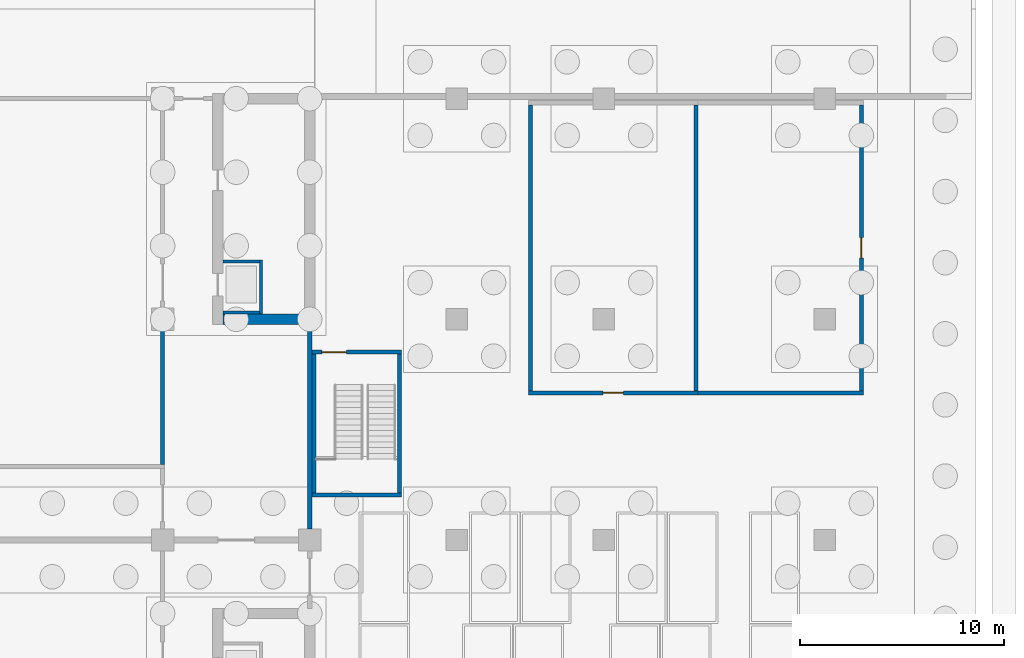
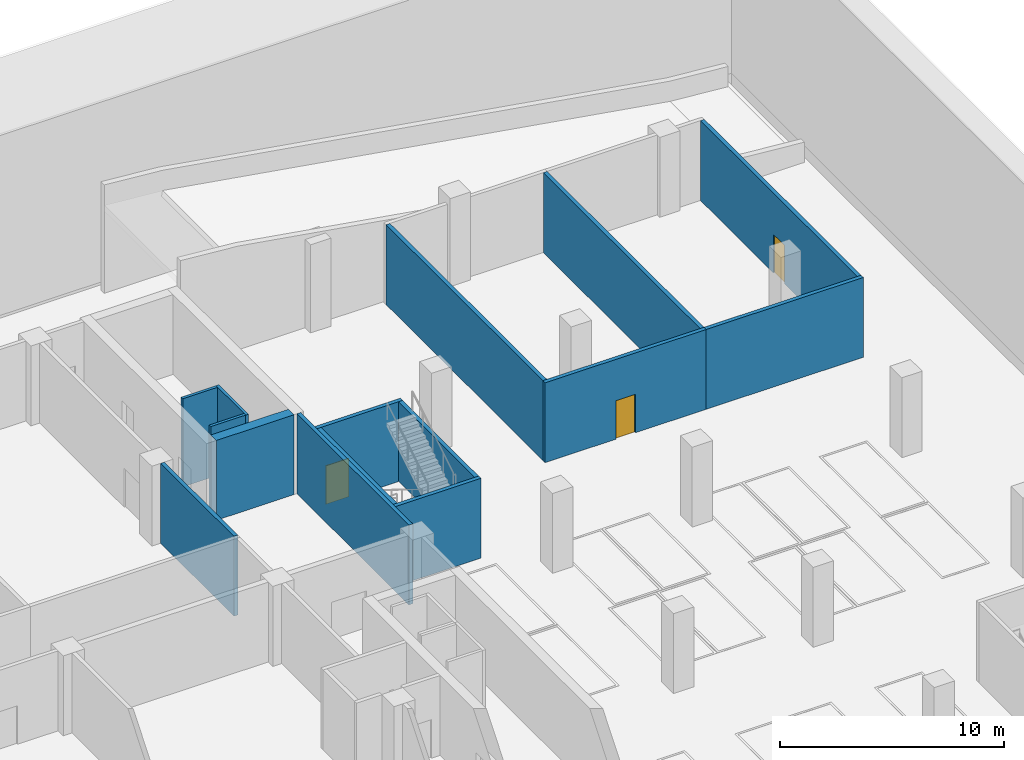
# One storey, part 10 of 18: 15 walls, 3 doors, 3 openings.
"""IFC4 building model written with IfcOpenShell, lengths in metres."""

import ifcopenshell
import ifcopenshell.guid

model = None  # the IFC model being written
_history = None  # IfcOwnerHistory: only IFC2X3 demands one
_inside = {}  # id of a spatial element -> (the spatial element, [elements in it])
_under = {}  # id of a project, library or spatial element -> (it, [spatial elements below it])
_declared = {}  # id of a project -> (the project, [libraries it declares])
_typed = {}  # id of a type object -> (the type object, [elements of that type])
_made_of = {}  # id of a material, layer set ... -> (it, [elements and type objects made of it])


def new_model(schema):
    """Start an empty IFC model of exactly this schema.

    Asked for "IFC4X3", IfcOpenShell would pick the latest addendum, in which some entities
    have other attributes; the version numbers below select the first issue.
    IFC2X3 requires an IfcOwnerHistory on every rooted entity: one is made here for all.
    """
    global model, _history
    if schema == "IFC4X3":
        model = ifcopenshell.file(schema_version=(4, 3, 0, 0))
    else:
        model = ifcopenshell.file(schema=schema)
    _inside.clear()
    _under.clear()
    _declared.clear()
    _typed.clear()
    _made_of.clear()
    _history = None
    if model.schema == "IFC2X3":
        org = make("IfcOrganization", Name="unknown")
        user = make(
            "IfcPersonAndOrganization",
            ThePerson=make("IfcPerson", FamilyName="unknown"),
            TheOrganization=org,
        )
        app = make(
            "IfcApplication",
            ApplicationDeveloper=org,
            Version="unknown",
            ApplicationFullName="unknown",
            ApplicationIdentifier="unknown",
        )
        _history = make(
            "IfcOwnerHistory",
            OwningUser=user,
            OwningApplication=app,
            ChangeAction="ADDED",
            CreationDate=0,
        )
    return model


def make(cls, **values):
    """One entity of the class cls with the attributes given. An attribute that is None is left unset."""
    return model.create_entity(
        cls, **{name: value for name, value in values.items() if value is not None}
    )


def rooted(cls, **values):
    """An entity with a GlobalId (a new one), such as an element, a storey or a relation."""
    return make(cls, GlobalId=ifcopenshell.guid.new(), OwnerHistory=_history, **values)


def si_unit(unit_type, name, prefix=None):
    """IfcSIUnit, for example si_unit("LENGTHUNIT", "METRE", prefix="MILLI")."""
    return make("IfcSIUnit", UnitType=unit_type, Prefix=prefix, Name=name)


def assignment(units):
    """IfcUnitAssignment: the units of a project."""
    return None if units is None else make("IfcUnitAssignment", Units=units)


def point(xyz):
    """IfcCartesianPoint."""
    return None if xyz is None else make("IfcCartesianPoint", Coordinates=xyz)


def direction(xyz):
    """IfcDirection."""
    return None if xyz is None else make("IfcDirection", DirectionRatios=xyz)


def frame(location, z_axis=None, x_axis=None):
    """IfcAxis2Placement3D, a coordinate frame: its origin and axes. An axis left out is left unset."""
    return make(
        "IfcAxis2Placement3D",
        Location=point(location),
        Axis=direction(z_axis),
        RefDirection=direction(x_axis),
    )


def frame_2d(location, x_axis=None):
    """IfcAxis2Placement2D, a coordinate frame in the plane: its origin and x axis."""
    return make(
        "IfcAxis2Placement2D", Location=point(location), RefDirection=direction(x_axis)
    )


def origin():
    """The frame at (0, 0, 0) with its axes left unset."""
    return frame((0.0, 0.0, 0.0))


def place(relative_to, where):
    """IfcLocalPlacement: puts the frame where relative to a parent placement (None: the world)."""
    return make(
        "IfcLocalPlacement", PlacementRelTo=relative_to, RelativePlacement=where
    )


def context(
    kind, dimensions, precision=None, world=None, true_north=None, identifier=None
):
    """IfcGeometricRepresentationContext, for example the 3D "Model" context."""
    return make(
        "IfcGeometricRepresentationContext",
        ContextIdentifier=identifier,
        ContextType=kind,
        CoordinateSpaceDimension=dimensions,
        Precision=precision,
        WorldCoordinateSystem=world,
        TrueNorth=true_north,
    )


def subcontext(parent, identifier, kind, view, scale=None):
    """IfcGeometricRepresentationSubContext, for example "Body" below "Model"."""
    return make(
        "IfcGeometricRepresentationSubContext",
        ContextIdentifier=identifier,
        ContextType=kind,
        ParentContext=parent,
        TargetScale=scale,
        TargetView=view,
    )


def project(units=None, contexts=None):
    """IfcProject with its units and contexts."""
    return rooted(
        "IfcProject",
        Name="project",
        RepresentationContexts=contexts,
        UnitsInContext=assignment(units),
    )


def spatial(cls, under=None, at=None, **own):
    """A site, building, storey or space (cls), placed at a placement, below another one or the project."""
    s = rooted(cls, ObjectPlacement=at, **own)
    if under is not None:
        _under.setdefault(under.id(), (under, []))[1].append(s)
    return s


def profile(cls, at=None, kind="AREA", **sizes):
    """A parametric profile (cls). Its sizes go by their IFC names, for example OverallWidth=200.0."""
    return make(cls, ProfileType=kind, Position=at, **sizes)


def rectangle(**sizes):
    """IfcRectangleProfileDef."""
    return profile("IfcRectangleProfileDef", **sizes)


def extrude(swept, where, along, depth):
    """IfcExtrudedAreaSolid: the profile swept, set in the frame where, extruded along a direction by depth."""
    return make(
        "IfcExtrudedAreaSolid",
        SweptArea=swept,
        Position=where,
        ExtrudedDirection=direction(along),
        Depth=depth,
    )


def shape(context_of_items, identifier, shape_type, items):
    """IfcShapeRepresentation: the items that make up one representation, for example the "Body"."""
    return make(
        "IfcShapeRepresentation",
        ContextOfItems=context_of_items,
        RepresentationIdentifier=identifier,
        RepresentationType=shape_type,
        Items=items,
    )


def material(Name=None, Category=None):
    """IfcMaterial."""
    return make("IfcMaterial", Name=Name, Category=Category)


def layer(
    of_material, thickness, ventilated=None, Name=None, Category=None, Priority=None
):
    """IfcMaterialLayer: one layer of a wall or slab, of a material (None: an air gap)."""
    return make(
        "IfcMaterialLayer",
        Material=of_material,
        LayerThickness=thickness,
        IsVentilated=ventilated,
        Name=Name,
        Category=Category,
        Priority=Priority,
    )


def layer_set(layers, Name=None):
    """IfcMaterialLayerSet."""
    return make("IfcMaterialLayerSet", MaterialLayers=layers, LayerSetName=Name)


def made_of(thing, what):
    """Note that an element or type object is made of a material, layer set ...; save() writes the relation."""
    if what is not None:
        _made_of.setdefault(what.id(), (what, []))[1].append(thing)
    return thing


def type_object(cls, material=None, **own):
    """A type object (cls), such as IfcWallType, which elements share."""
    return made_of(rooted(cls, **own), material)


def element(
    cls,
    number,
    at=None,
    inside=None,
    cuts=None,
    type_object=None,
    material=None,
    context=None,
    identifier="Body",
    shape_type=None,
    held_by="IfcProductDefinitionShape",
    body=None,
    shapes=None,
    **own,
):
    """One element of the class cls, such as IfcWall. Its Tag is "e" and its number.

    at: its placement. inside: the storey or other place that contains it. cuts: it is an
    opening in that element (IfcRelVoidsElement). A single representation is given by context,
    identifier, shape_type and body (its items); several are given by shapes. held_by: the class
    of the entity that holds the representations. save() writes the other relations.
    """
    e = rooted(cls, Tag="e%d" % number, ObjectPlacement=at, **own)
    if body is not None:
        shapes = [shape(context, identifier, shape_type, body)]
    if shapes is not None:
        e.Representation = make(held_by, Representations=shapes)
    if inside is not None:
        _inside.setdefault(inside.id(), (inside, []))[1].append(e)
    if cuts is not None:
        rooted(
            "IfcRelVoidsElement", RelatingBuildingElement=cuts, RelatedOpeningElement=e
        )
    if type_object is not None:
        _typed.setdefault(type_object.id(), (type_object, []))[1].append(e)
    return made_of(e, material)


def fill(opening, filler):
    """IfcRelFillsElement: the door or window that sits in an opening."""
    return rooted(
        "IfcRelFillsElement",
        RelatingOpeningElement=opening,
        RelatedBuildingElement=filler,
    )


def aggregate(whole, parts):
    """IfcRelAggregates: a whole, such as a stair, and the parts it consists of."""
    return rooted("IfcRelAggregates", RelatingObject=whole, RelatedObjects=parts)


def save(model, path):
    """Write the relations noted so far, then the file.

    IfcRelAggregates (storeys below a building ...), IfcRelContainedInSpatialStructure (elements
    in a storey), IfcRelDefinesByType, IfcRelAssociatesMaterial and IfcRelDeclares: one each for
    every whole, place, type object, material and project.
    """
    for whole, parts in _under.values():
        aggregate(whole, parts)
    for where, things in _inside.values():
        rooted(
            "IfcRelContainedInSpatialStructure",
            RelatedElements=things,
            RelatingStructure=where,
        )
    for kind, things in _typed.values():
        rooted("IfcRelDefinesByType", RelatedObjects=things, RelatingType=kind)
    for what, things in _made_of.values():
        rooted("IfcRelAssociatesMaterial", RelatedObjects=things, RelatingMaterial=what)
    for by, libraries in _declared.values():
        rooted("IfcRelDeclares", RelatingContext=by, RelatedDefinitions=libraries)
    model.write(path)


model = new_model("IFC4")

# Units and contexts
model_context = context("Model", 3, precision=1e-05, world=origin(), true_north=direction((0.0, 1.0)))
body_context = subcontext(model_context, "Body", "Model", "MODEL_VIEW")
ifc_project = project(units=[si_unit("LENGTHUNIT", "METRE"), si_unit("AREAUNIT", "SQUARE_METRE"), si_unit("VOLUMEUNIT", "CUBIC_METRE"), si_unit("PLANEANGLEUNIT", "RADIAN"), si_unit("MASSUNIT", "GRAM", prefix="KILO")], contexts=[model_context])

# Site, building, storey
site_placement = place(None, origin())
site = spatial("IfcSite", under=ifc_project, at=site_placement, CompositionType="ELEMENT")
building_placement = place(site_placement, origin())
building = spatial("IfcBuilding", under=site, at=building_placement, Name="Basin Gate Institute", CompositionType="ELEMENT")
storey_placement = place(building_placement, frame((0.0, 0.0, -9.60009765625)))
storey = spatial("IfcBuildingStorey", under=building, at=storey_placement, Name="B2", CompositionType="ELEMENT", Elevation=-9.60009765625)

# Wall
ifc_material_1 = material(Name="Concrete 50 MPa", Category="concrete")
ifc_layer_1 = layer(ifc_material_1, 0.199951171875)
ifc_layer_set_1 = layer_set([ifc_layer_1], Name="Concrete 50 MPa")
wall_type_1 = type_object("IfcWallType", Name="Basement bearing wall W66 REI 180", PredefinedType="SOLIDWALL", material=ifc_layer_set_1)
wall_1_placement = place(storey_placement, frame((118.800048828125, 78.85009765625, 0.0), z_axis=(0.0, 0.0, 1.0), x_axis=(0.0, 1.0, 0.0)))
element("IfcWall", 1, at=wall_1_placement, inside=storey, type_object=wall_type_1, material=ifc_layer_set_1, Name="Service Corridor B2 East bearing wall", PredefinedType="SOLIDWALL", context=body_context, shape_type="SweptSolid", body=[
    extrude(rectangle(XDim=10.0, YDim=0.199951171875, at=frame_2d((5.0, 0.0))), origin(), (0.0, 0.0, 1.0), 4.35009765625),
])

# Wall, opening, door
ifc_material_2 = material(Name="Blockwork", Category="masonry")
ifc_layer_2 = layer(ifc_material_2, 0.199951171875)
ifc_layer_set_2 = layer_set([ifc_layer_2], Name="Basement fire partition EI 120")
wall_type_2 = type_object("IfcWallType", Name="Basement fire partition EI 120", PredefinedType="PARTITIONING", material=ifc_layer_set_2)
wall_2_placement = place(storey_placement, frame((129.5, 85.5, 0.0), z_axis=(0.0, 0.0, 1.0), x_axis=(1.0, 0.0, 0.0)))
wall_2 = element("IfcWall", 2, at=wall_2_placement, inside=storey, type_object=wall_type_2, material=ifc_layer_set_2, Name="Substation fire-resisting wall", PredefinedType="PARTITIONING", context=body_context, shape_type="SweptSolid", body=[
    extrude(rectangle(XDim=8.300048828125, YDim=0.199951171875, at=frame_2d((4.14990234375, 0.0))), origin(), (0.0, 0.0, 1.0), 4.35009765625),
])
opening_1_placement = place(wall_2_placement, frame((3.64990234375, 0.0, 0.0)))
opening_1 = element("IfcOpeningElement", 3, at=opening_1_placement, cuts=wall_2, Name="Opening DB212", PredefinedType="OPENING", context=body_context, shape_type="SweptSolid", body=[
    extrude(rectangle(XDim=1.0, YDim=2.10009765625, at=frame_2d((0.5, 1.050048828125))), frame((0.0, 0.10986328125, 0.0), z_axis=(0.0, -1.0, 0.0), x_axis=(1.0, 0.0, 0.0)), (0.0, 0.0, 1.0), 0.219970703125),
])
ifc_material_3 = material(Name="Steel door set", Category="steel")
door_type_1 = type_object("IfcDoorType", Name="Fire door FD120 1000x2100", OperationType="NOTDEFINED", PredefinedType="DOOR", material=ifc_material_3)
door_1_placement = place(opening_1_placement, origin())
door_1 = element("IfcDoor", 4, at=door_1_placement, inside=storey, type_object=door_type_1, material=ifc_material_3, Name="Door DB212 Substation", OperationType="SINGLE_SWING_LEFT", OverallHeight=2.10009765625, OverallWidth=1.0, PredefinedType="DOOR", context=body_context, shape_type="SweptSolid", body=[
    extrude(rectangle(XDim=1.0, YDim=2.10009765625, at=frame_2d((0.5, 1.050048828125))), frame((0.0, 0.02490234375, 0.0), z_axis=(0.0, -1.0, 0.0), x_axis=(1.0, 0.0, 0.0)), (0.0, 0.0, 1.0), 0.050048828125),
])
fill(opening_1, door_1)

# Walls
wall_3_placement = place(storey_placement, frame((137.800048828125, 85.5, 0.0), z_axis=(0.0, 0.0, 1.0), x_axis=(1.0, 0.0, 0.0)))
element("IfcWall", 5, at=wall_3_placement, inside=storey, type_object=wall_type_2, material=ifc_layer_set_2, Name="Generator Room fire-resisting wall", PredefinedType="PARTITIONING", context=body_context, shape_type="SweptSolid", body=[
    extrude(rectangle(XDim=8.099853515625, YDim=0.199951171875, at=frame_2d((4.0498046875, 0.0))), origin(), (0.0, 0.0, 1.0), 4.35009765625),
])
wall_4_placement = place(storey_placement, frame((111.60009765625, 82.0, 0.0), z_axis=(0.0, 0.0, 1.0), x_axis=(0.0, 1.0, 0.0)))
element("IfcWall", 6, at=wall_4_placement, inside=storey, type_object=wall_type_2, material=ifc_layer_set_2, Name="Archive B2 fire-resisting wall", PredefinedType="PARTITIONING", context=body_context, shape_type="SweptSolid", body=[
    extrude(rectangle(XDim=6.550048828125, YDim=0.199951171875, at=frame_2d((3.27490234375, 0.0))), origin(), (0.0, 0.0, 1.0), 4.35009765625),
])
for number, where, z_axis, x_axis, name in (
    (7, (129.60009765625, 85.60009765625, 0.0), (0.0, 0.0, 1.0), (0.0, 1.0, 0.0), "Substation fire-resisting wall"),
    (8, (137.699951171875, 85.60009765625, 0.0), (0.0, 0.0, 1.0), (0.0, 1.0, 0.0), "Generator Room fire-resisting wall"),
):
    element("IfcWall", number, at=place(storey_placement, frame(where, z_axis=z_axis, x_axis=x_axis)), inside=storey, type_object=wall_type_2, material=ifc_layer_set_2, Name=name, PredefinedType="PARTITIONING", context=body_context, shape_type="SweptSolid", body=[
        extrude(rectangle(XDim=14.0, YDim=0.199951171875, at=frame_2d((7.0, 0.0))), origin(), (0.0, 0.0, 1.0), 4.35009765625),
    ])

# Wall, opening, door
wall_5_placement = place(storey_placement, frame((145.800048828125, 85.60009765625, 0.0), z_axis=(0.0, 0.0, 1.0), x_axis=(0.0, 1.0, 0.0)))
wall_5 = element("IfcWall", 9, at=wall_5_placement, inside=storey, type_object=wall_type_2, material=ifc_layer_set_2, Name="Generator Room fire-resisting wall", PredefinedType="PARTITIONING", context=body_context, shape_type="SweptSolid", body=[
    extrude(rectangle(XDim=14.0, YDim=0.199951171875, at=frame_2d((7.0, 0.0))), origin(), (0.0, 0.0, 1.0), 4.35009765625),
])
opening_2_placement = place(wall_5_placement, frame((6.5, 0.0, 0.0)))
opening_2 = element("IfcOpeningElement", 10, at=opening_2_placement, cuts=wall_5, Name="Opening DB213", PredefinedType="OPENING", context=body_context, shape_type="SweptSolid", body=[
    extrude(rectangle(XDim=1.0, YDim=2.10009765625, at=frame_2d((0.5, 1.050048828125))), frame((0.0, 0.10986328125, 0.0), z_axis=(0.0, -1.0, 0.0), x_axis=(1.0, 0.0, 0.0)), (0.0, 0.0, 1.0), 0.219970703125),
])
door_2_placement = place(opening_2_placement, frame((1.0, 0.0, 0.0), z_axis=(0.0, 0.0, 1.0), x_axis=(-1.0, 0.0, 0.0)))
door_2 = element("IfcDoor", 11, at=door_2_placement, inside=storey, type_object=door_type_1, material=ifc_material_3, Name="Door DB213 Generator Room", OperationType="SINGLE_SWING_RIGHT", OverallHeight=2.10009765625, OverallWidth=1.0, PredefinedType="DOOR", context=body_context, shape_type="SweptSolid", body=[
    extrude(rectangle(XDim=1.0, YDim=2.10009765625, at=frame_2d((0.5, 1.050048828125))), frame((0.0, 0.02490234375, 0.0), z_axis=(0.0, -1.0, 0.0), x_axis=(1.0, 0.0, 0.0)), (0.0, 0.0, 1.0), 0.050048828125),
])
fill(opening_2, door_2)

# Wall
ifc_material_4 = material(Name="Concrete 35 MPa", Category="concrete")
ifc_layer_3 = layer(ifc_material_4, 0.199951171875)
ifc_layer_set_3 = layer_set([ifc_layer_3], Name="Concrete 35 MPa")
wall_type_3 = type_object("IfcWallType", Name="Basement stair enclosure wall W67 REI 120", PredefinedType="SOLIDWALL", material=ifc_layer_set_3)
wall_6_placement = place(storey_placement, frame((118.89990234375, 80.5, 0.0), z_axis=(0.0, 0.0, 1.0), x_axis=(1.0, 0.0, 0.0)))
element("IfcWall", 12, at=wall_6_placement, inside=storey, type_object=wall_type_3, material=ifc_layer_set_3, Name="Stair Enclosure BS4 B2 enclosure wall", PredefinedType="SOLIDWALL", context=body_context, shape_type="SweptSolid", body=[
    extrude(rectangle(XDim=4.400146484375, YDim=0.199951171875, at=frame_2d((2.2001953125, 0.0))), origin(), (0.0, 0.0, 1.0), 4.35009765625),
])

# Wall, opening, door
wall_7_placement = place(storey_placement, frame((118.89990234375, 87.5, 0.0), z_axis=(0.0, 0.0, 1.0), x_axis=(1.0, 0.0, 0.0)))
wall_7 = element("IfcWall", 13, at=wall_7_placement, inside=storey, type_object=wall_type_3, material=ifc_layer_set_3, Name="Stair Enclosure BS4 B2 enclosure wall", PredefinedType="SOLIDWALL", context=body_context, shape_type="SweptSolid", body=[
    extrude(rectangle(XDim=4.400146484375, YDim=0.199951171875, at=frame_2d((2.2001953125, 0.0))), origin(), (0.0, 0.0, 1.0), 4.35009765625),
])
opening_3_placement = place(wall_7_placement, frame((0.5, 0.0, 0.0)))
opening_3 = element("IfcOpeningElement", 14, at=opening_3_placement, cuts=wall_7, Name="Opening DB245", PredefinedType="OPENING", context=body_context, shape_type="SweptSolid", body=[
    extrude(rectangle(XDim=1.199951171875, YDim=2.10009765625, at=frame_2d((0.60009765625, 1.050048828125))), frame((0.0, 0.10986328125, 0.0), z_axis=(0.0, -1.0, 0.0), x_axis=(1.0, 0.0, 0.0)), (0.0, 0.0, 1.0), 0.219970703125),
])
ifc_material_5 = material(Name="Steel door set", Category="steel")
door_type_2 = type_object("IfcDoorType", Name="Stair door FD120 1200x2100", OperationType="NOTDEFINED", PredefinedType="DOOR", material=ifc_material_5)
door_3_placement = place(opening_3_placement, frame((1.199951171875, 0.0, 0.0), z_axis=(0.0, 0.0, 1.0), x_axis=(-1.0, 0.0, 0.0)))
door_3 = element("IfcDoor", 15, at=door_3_placement, inside=storey, type_object=door_type_2, material=ifc_material_5, Name="Door DB245 Stair Enclosure BS4 B2", OperationType="SINGLE_SWING_RIGHT", OverallHeight=2.10009765625, OverallWidth=1.199951171875, PredefinedType="DOOR", context=body_context, shape_type="SweptSolid", body=[
    extrude(rectangle(XDim=1.199951171875, YDim=2.10009765625, at=frame_2d((0.60009765625, 1.050048828125))), frame((0.0, 0.02490234375, 0.0), z_axis=(0.0, -1.0, 0.0), x_axis=(1.0, 0.0, 0.0)), (0.0, 0.0, 1.0), 0.050048828125),
])
fill(opening_3, door_3)

# Walls
for number, where, z_axis, x_axis, name in (
    (16, (119.0, 80.60009765625, 0.0), (0.0, 0.0, 1.0), (0.0, 1.0, 0.0), "Stair Enclosure BS4 B2 enclosure wall"),
    (17, (123.199951171875, 80.60009765625, 0.0), (0.0, 0.0, 1.0), (0.0, 1.0, 0.0), "Stair Enclosure BS4 B2 enclosure wall"),
):
    element("IfcWall", number, at=place(storey_placement, frame(where, z_axis=z_axis, x_axis=x_axis)), inside=storey, type_object=wall_type_3, material=ifc_layer_set_3, Name=name, PredefinedType="SOLIDWALL", context=body_context, shape_type="SweptSolid", body=[
        extrude(rectangle(XDim=6.7998046875, YDim=0.199951171875, at=frame_2d((3.39990234375, 0.0))), origin(), (0.0, 0.0, 1.0), 4.35009765625),
    ])
ifc_material_6 = material(Name="Concrete 40 MPa", Category="concrete")
ifc_layer_4 = layer(ifc_material_6, 0.14990234375)
ifc_layer_set_4 = layer_set([ifc_layer_4], Name="Concrete 40 MPa")
wall_type_4 = type_object("IfcWallType", Name="Wall LS1 lift shaft enclosure R180", PredefinedType="SOLIDWALL", material=ifc_layer_set_4)
wall_8_placement = place(storey_placement, frame((116.425048828125, 92.0, 0.0), z_axis=(0.0, 0.0, 1.0), x_axis=(0.0, -1.0, 0.0)))
element("IfcWall", 18, at=wall_8_placement, inside=storey, type_object=wall_type_4, material=ifc_layer_set_4, Name="Lift shaft enclosure LP6 B2 UL", PredefinedType="SOLIDWALL", context=body_context, shape_type="SweptSolid", body=[
    extrude(rectangle(XDim=2.64990234375, YDim=0.14990234375, at=frame_2d((1.324951171875, 0.0))), origin(), (0.0, 0.0, 1.0), 4.800048828125),
])
for number, where, z_axis, x_axis, name in (
    (19, (116.35009765625, 91.925048828125, 0.0), (0.0, 0.0, 1.0), (-1.0, 0.0, 0.0), "Lift shaft enclosure LP6 B2 RL"),
    (20, (116.35009765625, 89.425048828125, 0.0), (0.0, 0.0, 1.0), (-1.0, 0.0, 0.0), "Lift shaft enclosure LP6 B2 RH"),
):
    element("IfcWall", number, at=place(storey_placement, frame(where, z_axis=z_axis, x_axis=x_axis)), inside=storey, type_object=wall_type_4, material=ifc_layer_set_4, Name=name, PredefinedType="SOLIDWALL", context=body_context, shape_type="SweptSolid", body=[
        extrude(rectangle(XDim=1.800048828125, YDim=0.14990234375, at=frame_2d((0.89990234375, 0.0))), origin(), (0.0, 0.0, 1.0), 4.800048828125),
    ])
ifc_material_7 = material(Name="Concrete 60 MPa", Category="concrete")
ifc_layer_5 = layer(ifc_material_7, 0.5)
ifc_layer_set_5 = layer_set([ifc_layer_5], Name="Concrete 60 MPa")
wall_type_5 = type_object("IfcWallType", Name="Wall SW1 R180", PredefinedType="SHEAR", material=ifc_layer_set_5)
wall_9_placement = place(storey_placement, frame((118.550048828125, 89.10009765625, 0.0), z_axis=(0.0, 0.0, 1.0), x_axis=(-1.0, 0.0, 0.0)))
element("IfcWall", 21, at=wall_9_placement, inside=storey, type_object=wall_type_5, material=ifc_layer_set_5, Name="WALL/B2/EN/S", PredefinedType="SHEAR", context=body_context, shape_type="SweptSolid", body=[
    extrude(rectangle(XDim=4.0, YDim=0.5, at=frame_2d((2.0, 0.0))), origin(), (0.0, 0.0, 1.0), 4.35009765625),
])

save(model, "model.ifc")
